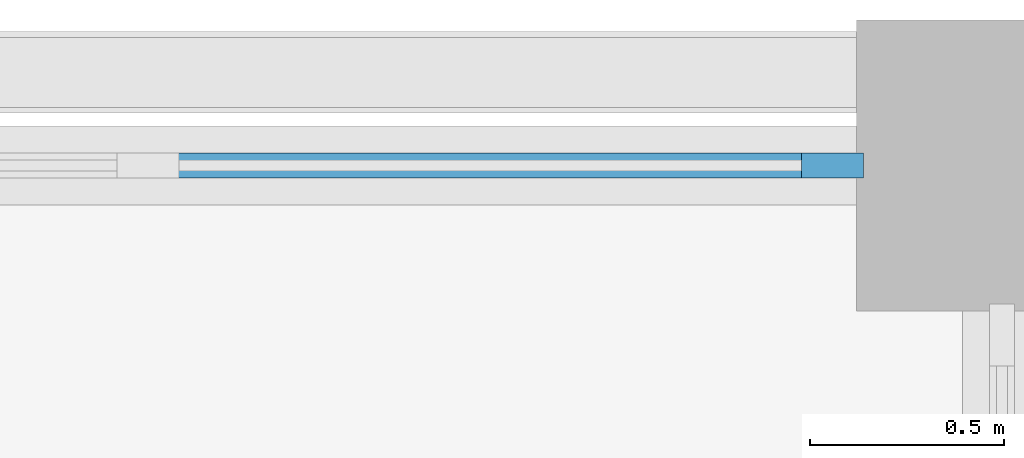
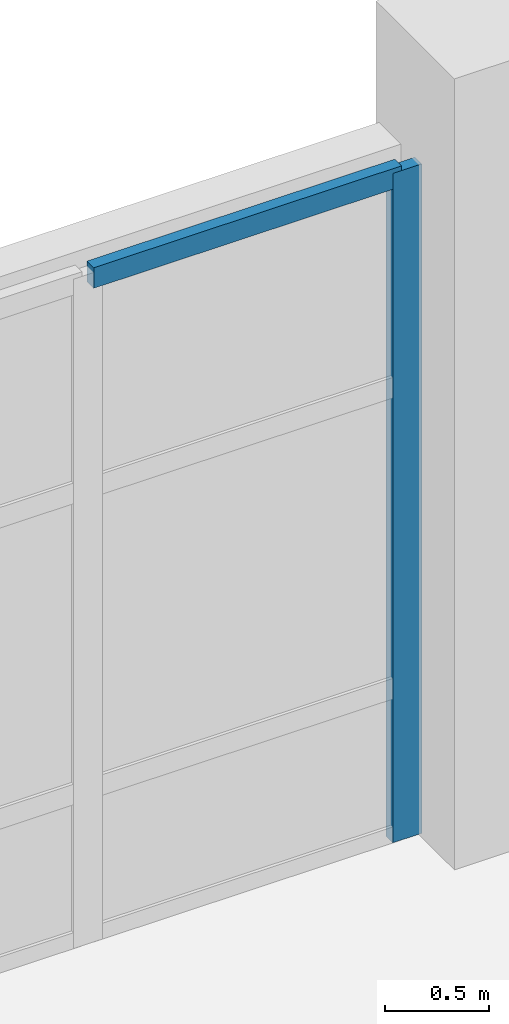
# One storey, part 59 of 121: 2 members, 1 element without a shape of its own.
"""IFC4 building model written with IfcOpenShell, lengths in metres."""

from ifc_helpers import new_model, si_unit, derived_unit, direction, frame, origin, origin_2d, place, context, subcontext, project, spatial, rectangle, extrude, material, layer, layer_set, material_profile, profile_set, type_object, element, aggregate, save


model = new_model("IFC4")

# Units and contexts
model_context = context("Model", 3, precision=1e-05, world=origin(), true_north=direction((0.0, 1.0)))
body_context = subcontext(model_context, "Body", "Model", "MODEL_VIEW")
ifc_project = project(units=[si_unit("LENGTHUNIT", "METRE"), si_unit("AREAUNIT", "SQUARE_METRE"), si_unit("VOLUMEUNIT", "CUBIC_METRE"), si_unit("PLANEANGLEUNIT", "RADIAN"), si_unit("MASSUNIT", "GRAM", prefix="KILO"), derived_unit("THERMALTRANSMITTANCEUNIT", [(si_unit("MASSUNIT", "GRAM", prefix="KILO"), 1), (si_unit("TIMEUNIT", "SECOND"), -3), (si_unit("THERMODYNAMICTEMPERATUREUNIT", "KELVIN"), -1)])], contexts=[model_context])

# Site, building, storey
site_placement = place(None, origin())
site = spatial("IfcSite", under=ifc_project, at=site_placement, CompositionType="ELEMENT")
building_placement = place(site_placement, origin())
building = spatial("IfcBuilding", under=site, at=building_placement, Name="Veyamyaing Civic Hall", CompositionType="ELEMENT")
storey_placement = place(building_placement, frame((0.0, 0.0, 5.280029296875)))
storey = spatial("IfcBuildingStorey", under=building, at=storey_placement, Name="L01", CompositionType="ELEMENT", Elevation=5.280029296875)

# Curtain wall, members
ifc_material = material(Name="Anodised aluminium 6063-T6", Category="aluminium")
ifc_layer = layer(ifc_material, 0.159912109375, Name="Anodised aluminium 6063-T6")
ifc_layer_set = layer_set([ifc_layer], Name="Anodised aluminium 6063-T6")
curtain_wall_type = type_object("IfcCurtainWallType", Name="CW-02", PredefinedType="NOTDEFINED", material=ifc_layer_set)
curtain_wall_placement = place(storey_placement, origin())
curtain_wall = element("IfcCurtainWall", 1, at=curtain_wall_placement, inside=storey, type_object=curtain_wall_type, Name="Unitized curtain wall CW-02 L01 N 22.14", PredefinedType="NOTDEFINED")
ifc_material_profile_1 = material_profile(ifc_material, rectangle(XDim=0.06494140625, YDim=0.159912109375, at=origin_2d()), Name="ALU-MUL-65X160")
ifc_profile_set_1 = profile_set([ifc_material_profile_1], Name="Anodised aluminium 6063-T6")
member_type_1 = type_object("IfcMemberType", Name="CWM-01", PredefinedType="MULLION", material=ifc_profile_set_1)
member_1_placement = place(storey_placement, frame((175.5625, 112.0, 0.0), z_axis=(0.0, 0.0, 1.0), x_axis=(0.0, 1.0, 0.0)))
member_1 = element("IfcMember", 2, at=member_1_placement, type_object=member_type_1, Name="CW-02 mullion 5", PredefinedType="MULLION", context=body_context, shape_type="SweptSolid", body=[
    extrude(rectangle(XDim=0.06494140625, YDim=0.159912109375, at=origin_2d()), origin(), (0.0, 0.0, 1.0), 3.909912109375),
])
ifc_material_profile_2 = material_profile(ifc_material, rectangle(XDim=0.06494140625, YDim=0.1201171875, at=origin_2d()), Name="ALU-TRN-65X120")
ifc_profile_set_2 = profile_set([ifc_material_profile_2], Name="Anodised aluminium 6063-T6")
member_type_2 = type_object("IfcMemberType", Name="CWT-01", PredefinedType="USERDEFINED", material=ifc_profile_set_2)
member_2_placement = place(storey_placement, frame((173.830078125, 112.0, 3.87744140625), z_axis=(1.0, 0.0, 0.0), x_axis=(0.0, 1.0, 0.0)))
member_2 = element("IfcMember", 3, at=member_2_placement, type_object=member_type_2, Name="CW-02 transom 4.4", ObjectType="TRANSOM", PredefinedType="USERDEFINED", context=body_context, shape_type="SweptSolid", body=[
    extrude(rectangle(XDim=0.06494140625, YDim=0.1201171875, at=origin_2d()), origin(), (0.0, 0.0, 1.0), 1.699951171875),
])
aggregate(curtain_wall, [member_1, member_2])

save(model, "model.ifc")
